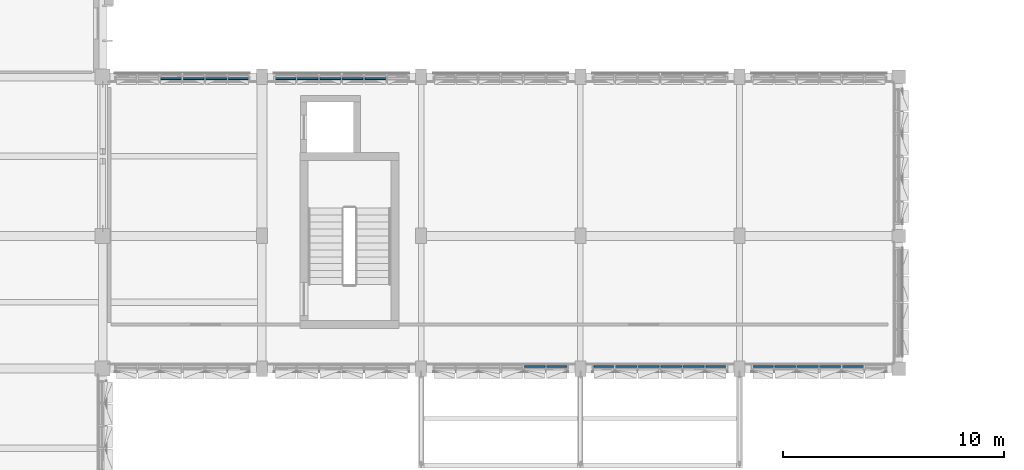
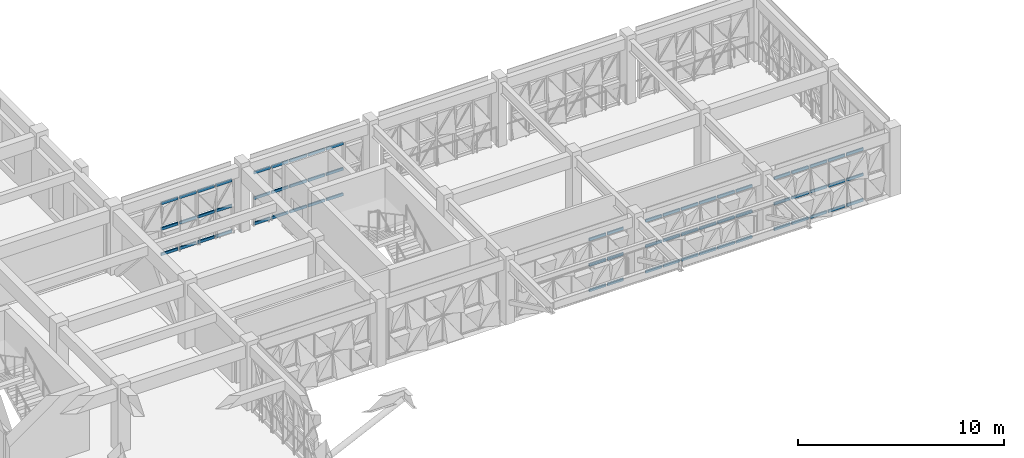
# One storey, part 25 of 88: 66 members, 5 elements without a shape of their own.
"""IFC4 building model written with IfcOpenShell, lengths in metres."""

from ifc_helpers import new_model, si_unit, direction, frame, origin, origin_2d, place, context, subcontext, project, spatial, rectangle, extrude, material, material_profile, profile_set, type_object, element, aggregate, save


model = new_model("IFC4")

# Units and contexts
model_context = context("Model", 3, precision=1e-05, world=origin(), true_north=direction((0.0, 1.0)))
body_context = subcontext(model_context, "Body", "Model", "MODEL_VIEW")
ifc_project = project(units=[si_unit("LENGTHUNIT", "METRE"), si_unit("AREAUNIT", "SQUARE_METRE"), si_unit("VOLUMEUNIT", "CUBIC_METRE"), si_unit("PLANEANGLEUNIT", "RADIAN"), si_unit("MASSUNIT", "GRAM", prefix="KILO")], contexts=[model_context])

# Site, building, storey
site_placement = place(None, origin())
site = spatial("IfcSite", under=ifc_project, at=site_placement, CompositionType="ELEMENT")
building_placement = place(site_placement, origin())
building = spatial("IfcBuilding", under=site, at=building_placement, Name="Alvorim Cloister Faculty of Sciences", CompositionType="ELEMENT")
storey_placement = place(building_placement, frame((0.0, 0.0, 4.5)))
storey = spatial("IfcBuildingStorey", under=building, at=storey_placement, Name="L01", CompositionType="ELEMENT", Elevation=4.5)

# Curtain wall, members
ifc_material_1 = material(Name="Aluminium and Low-E Glass Curtain Wall", Category="aluminium")
curtain_wall_type = type_object("IfcCurtainWallType", Name="CW-TRI-6120x3170", PredefinedType="USERDEFINED", material=ifc_material_1)
curtain_wall_1_placement = place(storey_placement, origin())
curtain_wall_1 = element("IfcCurtainWall", 1, at=curtain_wall_1_placement, inside=storey, type_object=curtain_wall_type, Name="L01 Diagonal Cassette Curtain Wall CW-0012", ObjectType="UNITISED CURTAIN WALL", PredefinedType="USERDEFINED")
ifc_material_2 = material(Name="Aluminium Alloy 6063-T6", Category="aluminium")
ifc_material_profile = material_profile(ifc_material_2, rectangle(XDim=0.074951171875, YDim=0.159912109375, at=origin_2d()), Name="ALU-TRN-75x160")
ifc_profile_set = profile_set([ifc_material_profile], Name="Aluminium Alloy 6063-T6")
member_type = type_object("IfcMemberType", Name="CW-TRN-75x160", PredefinedType="USERDEFINED", material=ifc_profile_set)
member_1_placement = place(storey_placement, frame((31.41748046875, 56.31005859375, 0.080078125), z_axis=(1.0, 0.0, 0.0), x_axis=(0.0, 1.0, 0.0)))
member_1 = element("IfcMember", 2, at=member_1_placement, type_object=member_type, Name="CW-0012 Transom 3.1", ObjectType="TRANSOM", PredefinedType="USERDEFINED", context=body_context, shape_type="SweptSolid", body=[
    extrude(rectangle(XDim=0.074951171875, YDim=0.159912109375, at=origin_2d()), origin(), (0.0, 0.0, 1.0), 0.945068359375),
])
member_2_placement = place(storey_placement, frame((31.41748046875, 56.31005859375, 1.5849609375), z_axis=(1.0, 0.0, 0.0), x_axis=(0.0, 1.0, 0.0)))
member_2 = element("IfcMember", 3, at=member_2_placement, type_object=member_type, Name="CW-0012 Transom 3.2", ObjectType="TRANSOM", PredefinedType="USERDEFINED", context=body_context, shape_type="SweptSolid", body=[
    extrude(rectangle(XDim=0.074951171875, YDim=0.159912109375, at=origin_2d()), origin(), (0.0, 0.0, 1.0), 0.945068359375),
])
member_3_placement = place(storey_placement, frame((31.41748046875, 56.31005859375, 3.090087890625), z_axis=(1.0, 0.0, 0.0), x_axis=(0.0, 1.0, 0.0)))
member_3 = element("IfcMember", 4, at=member_3_placement, type_object=member_type, Name="CW-0012 Transom 3.3", ObjectType="TRANSOM", PredefinedType="USERDEFINED", context=body_context, shape_type="SweptSolid", body=[
    extrude(rectangle(XDim=0.074951171875, YDim=0.159912109375, at=origin_2d()), origin(), (0.0, 0.0, 1.0), 0.945068359375),
])
member_4_placement = place(storey_placement, frame((32.4375, 56.31005859375, 0.080078125), z_axis=(1.0, 0.0, 0.0), x_axis=(0.0, 1.0, 0.0)))
member_4 = element("IfcMember", 5, at=member_4_placement, type_object=member_type, Name="CW-0012 Transom 4.1", ObjectType="TRANSOM", PredefinedType="USERDEFINED", context=body_context, shape_type="SweptSolid", body=[
    extrude(rectangle(XDim=0.074951171875, YDim=0.159912109375, at=origin_2d()), origin(), (0.0, 0.0, 1.0), 0.945068359375),
])
member_5_placement = place(storey_placement, frame((32.4375, 56.31005859375, 1.5849609375), z_axis=(1.0, 0.0, 0.0), x_axis=(0.0, 1.0, 0.0)))
member_5 = element("IfcMember", 6, at=member_5_placement, type_object=member_type, Name="CW-0012 Transom 4.2", ObjectType="TRANSOM", PredefinedType="USERDEFINED", context=body_context, shape_type="SweptSolid", body=[
    extrude(rectangle(XDim=0.074951171875, YDim=0.159912109375, at=origin_2d()), origin(), (0.0, 0.0, 1.0), 0.945068359375),
])
member_6_placement = place(storey_placement, frame((32.4375, 56.31005859375, 3.090087890625), z_axis=(1.0, 0.0, 0.0), x_axis=(0.0, 1.0, 0.0)))
member_6 = element("IfcMember", 7, at=member_6_placement, type_object=member_type, Name="CW-0012 Transom 4.3", ObjectType="TRANSOM", PredefinedType="USERDEFINED", context=body_context, shape_type="SweptSolid", body=[
    extrude(rectangle(XDim=0.074951171875, YDim=0.159912109375, at=origin_2d()), origin(), (0.0, 0.0, 1.0), 0.945068359375),
])
member_7_placement = place(storey_placement, frame((33.45751953125, 56.31005859375, 0.080078125), z_axis=(1.0, 0.0, 0.0), x_axis=(0.0, 1.0, 0.0)))
member_7 = element("IfcMember", 8, at=member_7_placement, type_object=member_type, Name="CW-0012 Transom 5.1", ObjectType="TRANSOM", PredefinedType="USERDEFINED", context=body_context, shape_type="SweptSolid", body=[
    extrude(rectangle(XDim=0.074951171875, YDim=0.159912109375, at=origin_2d()), origin(), (0.0, 0.0, 1.0), 0.945068359375),
])
member_8_placement = place(storey_placement, frame((33.45751953125, 56.31005859375, 1.5849609375), z_axis=(1.0, 0.0, 0.0), x_axis=(0.0, 1.0, 0.0)))
member_8 = element("IfcMember", 9, at=member_8_placement, type_object=member_type, Name="CW-0012 Transom 5.2", ObjectType="TRANSOM", PredefinedType="USERDEFINED", context=body_context, shape_type="SweptSolid", body=[
    extrude(rectangle(XDim=0.074951171875, YDim=0.159912109375, at=origin_2d()), origin(), (0.0, 0.0, 1.0), 0.945068359375),
])
member_9_placement = place(storey_placement, frame((33.45751953125, 56.31005859375, 3.090087890625), z_axis=(1.0, 0.0, 0.0), x_axis=(0.0, 1.0, 0.0)))
member_9 = element("IfcMember", 10, at=member_9_placement, type_object=member_type, Name="CW-0012 Transom 5.3", ObjectType="TRANSOM", PredefinedType="USERDEFINED", context=body_context, shape_type="SweptSolid", body=[
    extrude(rectangle(XDim=0.074951171875, YDim=0.159912109375, at=origin_2d()), origin(), (0.0, 0.0, 1.0), 0.945068359375),
])
member_10_placement = place(storey_placement, frame((34.4775390625, 56.31005859375, 0.080078125), z_axis=(1.0, 0.0, 0.0), x_axis=(0.0, 1.0, 0.0)))
member_10 = element("IfcMember", 11, at=member_10_placement, type_object=member_type, Name="CW-0012 Transom 6.1", ObjectType="TRANSOM", PredefinedType="USERDEFINED", context=body_context, shape_type="SweptSolid", body=[
    extrude(rectangle(XDim=0.074951171875, YDim=0.159912109375, at=origin_2d()), origin(), (0.0, 0.0, 1.0), 0.907470703125),
])
member_11_placement = place(storey_placement, frame((34.4775390625, 56.31005859375, 1.5849609375), z_axis=(1.0, 0.0, 0.0), x_axis=(0.0, 1.0, 0.0)))
member_11 = element("IfcMember", 12, at=member_11_placement, type_object=member_type, Name="CW-0012 Transom 6.2", ObjectType="TRANSOM", PredefinedType="USERDEFINED", context=body_context, shape_type="SweptSolid", body=[
    extrude(rectangle(XDim=0.074951171875, YDim=0.159912109375, at=origin_2d()), origin(), (0.0, 0.0, 1.0), 0.907470703125),
])
member_12_placement = place(storey_placement, frame((34.4775390625, 56.31005859375, 3.090087890625), z_axis=(1.0, 0.0, 0.0), x_axis=(0.0, 1.0, 0.0)))
member_12 = element("IfcMember", 13, at=member_12_placement, type_object=member_type, Name="CW-0012 Transom 6.3", ObjectType="TRANSOM", PredefinedType="USERDEFINED", context=body_context, shape_type="SweptSolid", body=[
    extrude(rectangle(XDim=0.074951171875, YDim=0.159912109375, at=origin_2d()), origin(), (0.0, 0.0, 1.0), 0.907470703125),
])
aggregate(curtain_wall_1, [member_1, member_2, member_3, member_4, member_5, member_6, member_7, member_8, member_9, member_10, member_11, member_12])

curtain_wall_2_placement = place(storey_placement, origin())
curtain_wall_2 = element("IfcCurtainWall", 14, at=curtain_wall_2_placement, inside=storey, type_object=curtain_wall_type, Name="L01 Diagonal Cassette Curtain Wall CW-0013", ObjectType="UNITISED CURTAIN WALL", PredefinedType="USERDEFINED")
member_13_placement = place(storey_placement, frame((36.614990234375, 56.31005859375, 0.080078125), z_axis=(1.0, 0.0, 0.0), x_axis=(0.0, 1.0, 0.0)))
member_13 = element("IfcMember", 15, at=member_13_placement, type_object=member_type, Name="CW-0013 Transom 1.1", ObjectType="TRANSOM", PredefinedType="USERDEFINED", context=body_context, shape_type="SweptSolid", body=[
    extrude(rectangle(XDim=0.074951171875, YDim=0.159912109375, at=origin_2d()), origin(), (0.0, 0.0, 1.0), 0.907470703125),
])
member_14_placement = place(storey_placement, frame((36.614990234375, 56.31005859375, 1.5849609375), z_axis=(1.0, 0.0, 0.0), x_axis=(0.0, 1.0, 0.0)))
member_14 = element("IfcMember", 16, at=member_14_placement, type_object=member_type, Name="CW-0013 Transom 1.2", ObjectType="TRANSOM", PredefinedType="USERDEFINED", context=body_context, shape_type="SweptSolid", body=[
    extrude(rectangle(XDim=0.074951171875, YDim=0.159912109375, at=origin_2d()), origin(), (0.0, 0.0, 1.0), 0.907470703125),
])
member_15_placement = place(storey_placement, frame((36.614990234375, 56.31005859375, 3.090087890625), z_axis=(1.0, 0.0, 0.0), x_axis=(0.0, 1.0, 0.0)))
member_15 = element("IfcMember", 17, at=member_15_placement, type_object=member_type, Name="CW-0013 Transom 1.3", ObjectType="TRANSOM", PredefinedType="USERDEFINED", context=body_context, shape_type="SweptSolid", body=[
    extrude(rectangle(XDim=0.074951171875, YDim=0.159912109375, at=origin_2d()), origin(), (0.0, 0.0, 1.0), 0.907470703125),
])
member_16_placement = place(storey_placement, frame((37.597412109375, 56.31005859375, 0.080078125), z_axis=(1.0, 0.0, 0.0), x_axis=(0.0, 1.0, 0.0)))
member_16 = element("IfcMember", 18, at=member_16_placement, type_object=member_type, Name="CW-0013 Transom 2.1", ObjectType="TRANSOM", PredefinedType="USERDEFINED", context=body_context, shape_type="SweptSolid", body=[
    extrude(rectangle(XDim=0.074951171875, YDim=0.159912109375, at=origin_2d()), origin(), (0.0, 0.0, 1.0), 0.945068359375),
])
member_17_placement = place(storey_placement, frame((37.597412109375, 56.31005859375, 1.5849609375), z_axis=(1.0, 0.0, 0.0), x_axis=(0.0, 1.0, 0.0)))
member_17 = element("IfcMember", 19, at=member_17_placement, type_object=member_type, Name="CW-0013 Transom 2.2", ObjectType="TRANSOM", PredefinedType="USERDEFINED", context=body_context, shape_type="SweptSolid", body=[
    extrude(rectangle(XDim=0.074951171875, YDim=0.159912109375, at=origin_2d()), origin(), (0.0, 0.0, 1.0), 0.945068359375),
])
member_18_placement = place(storey_placement, frame((37.597412109375, 56.31005859375, 3.090087890625), z_axis=(1.0, 0.0, 0.0), x_axis=(0.0, 1.0, 0.0)))
member_18 = element("IfcMember", 20, at=member_18_placement, type_object=member_type, Name="CW-0013 Transom 2.3", ObjectType="TRANSOM", PredefinedType="USERDEFINED", context=body_context, shape_type="SweptSolid", body=[
    extrude(rectangle(XDim=0.074951171875, YDim=0.159912109375, at=origin_2d()), origin(), (0.0, 0.0, 1.0), 0.945068359375),
])
member_19_placement = place(storey_placement, frame((38.617431640625, 56.31005859375, 0.080078125), z_axis=(1.0, 0.0, 0.0), x_axis=(0.0, 1.0, 0.0)))
member_19 = element("IfcMember", 21, at=member_19_placement, type_object=member_type, Name="CW-0013 Transom 3.1", ObjectType="TRANSOM", PredefinedType="USERDEFINED", context=body_context, shape_type="SweptSolid", body=[
    extrude(rectangle(XDim=0.074951171875, YDim=0.159912109375, at=origin_2d()), origin(), (0.0, 0.0, 1.0), 0.945068359375),
])
member_20_placement = place(storey_placement, frame((38.617431640625, 56.31005859375, 1.5849609375), z_axis=(1.0, 0.0, 0.0), x_axis=(0.0, 1.0, 0.0)))
member_20 = element("IfcMember", 22, at=member_20_placement, type_object=member_type, Name="CW-0013 Transom 3.2", ObjectType="TRANSOM", PredefinedType="USERDEFINED", context=body_context, shape_type="SweptSolid", body=[
    extrude(rectangle(XDim=0.074951171875, YDim=0.159912109375, at=origin_2d()), origin(), (0.0, 0.0, 1.0), 0.945068359375),
])
member_21_placement = place(storey_placement, frame((38.617431640625, 56.31005859375, 3.090087890625), z_axis=(1.0, 0.0, 0.0), x_axis=(0.0, 1.0, 0.0)))
member_21 = element("IfcMember", 23, at=member_21_placement, type_object=member_type, Name="CW-0013 Transom 3.3", ObjectType="TRANSOM", PredefinedType="USERDEFINED", context=body_context, shape_type="SweptSolid", body=[
    extrude(rectangle(XDim=0.074951171875, YDim=0.159912109375, at=origin_2d()), origin(), (0.0, 0.0, 1.0), 0.945068359375),
])
member_22_placement = place(storey_placement, frame((39.637451171875, 56.31005859375, 0.080078125), z_axis=(1.0, 0.0, 0.0), x_axis=(0.0, 1.0, 0.0)))
member_22 = element("IfcMember", 24, at=member_22_placement, type_object=member_type, Name="CW-0013 Transom 4.1", ObjectType="TRANSOM", PredefinedType="USERDEFINED", context=body_context, shape_type="SweptSolid", body=[
    extrude(rectangle(XDim=0.074951171875, YDim=0.159912109375, at=origin_2d()), origin(), (0.0, 0.0, 1.0), 0.945068359375),
])
member_23_placement = place(storey_placement, frame((39.637451171875, 56.31005859375, 1.5849609375), z_axis=(1.0, 0.0, 0.0), x_axis=(0.0, 1.0, 0.0)))
member_23 = element("IfcMember", 25, at=member_23_placement, type_object=member_type, Name="CW-0013 Transom 4.2", ObjectType="TRANSOM", PredefinedType="USERDEFINED", context=body_context, shape_type="SweptSolid", body=[
    extrude(rectangle(XDim=0.074951171875, YDim=0.159912109375, at=origin_2d()), origin(), (0.0, 0.0, 1.0), 0.945068359375),
])
member_24_placement = place(storey_placement, frame((39.637451171875, 56.31005859375, 3.090087890625), z_axis=(1.0, 0.0, 0.0), x_axis=(0.0, 1.0, 0.0)))
member_24 = element("IfcMember", 26, at=member_24_placement, type_object=member_type, Name="CW-0013 Transom 4.3", ObjectType="TRANSOM", PredefinedType="USERDEFINED", context=body_context, shape_type="SweptSolid", body=[
    extrude(rectangle(XDim=0.074951171875, YDim=0.159912109375, at=origin_2d()), origin(), (0.0, 0.0, 1.0), 0.945068359375),
])
member_25_placement = place(storey_placement, frame((40.657470703125, 56.31005859375, 0.080078125), z_axis=(1.0, 0.0, 0.0), x_axis=(0.0, 1.0, 0.0)))
member_25 = element("IfcMember", 27, at=member_25_placement, type_object=member_type, Name="CW-0013 Transom 5.1", ObjectType="TRANSOM", PredefinedType="USERDEFINED", context=body_context, shape_type="SweptSolid", body=[
    extrude(rectangle(XDim=0.074951171875, YDim=0.159912109375, at=origin_2d()), origin(), (0.0, 0.0, 1.0), 0.945068359375),
])
member_26_placement = place(storey_placement, frame((40.657470703125, 56.31005859375, 1.5849609375), z_axis=(1.0, 0.0, 0.0), x_axis=(0.0, 1.0, 0.0)))
member_26 = element("IfcMember", 28, at=member_26_placement, type_object=member_type, Name="CW-0013 Transom 5.2", ObjectType="TRANSOM", PredefinedType="USERDEFINED", context=body_context, shape_type="SweptSolid", body=[
    extrude(rectangle(XDim=0.074951171875, YDim=0.159912109375, at=origin_2d()), origin(), (0.0, 0.0, 1.0), 0.945068359375),
])
member_27_placement = place(storey_placement, frame((40.657470703125, 56.31005859375, 3.090087890625), z_axis=(1.0, 0.0, 0.0), x_axis=(0.0, 1.0, 0.0)))
member_27 = element("IfcMember", 29, at=member_27_placement, type_object=member_type, Name="CW-0013 Transom 5.3", ObjectType="TRANSOM", PredefinedType="USERDEFINED", context=body_context, shape_type="SweptSolid", body=[
    extrude(rectangle(XDim=0.074951171875, YDim=0.159912109375, at=origin_2d()), origin(), (0.0, 0.0, 1.0), 0.945068359375),
])
aggregate(curtain_wall_2, [member_13, member_14, member_15, member_16, member_17, member_18, member_19, member_20, member_21, member_22, member_23, member_24, member_25, member_26, member_27])

curtain_wall_3_placement = place(storey_placement, origin())
curtain_wall_3 = element("IfcCurtainWall", 30, at=curtain_wall_3_placement, inside=storey, type_object=curtain_wall_type, Name="L01 Diagonal Cassette Curtain Wall CW-0019", ObjectType="UNITISED CURTAIN WALL", PredefinedType="USERDEFINED")
member_28_placement = place(storey_placement, frame((58.215087890625, 43.2900390625, 0.080078125), z_axis=(1.0, 0.0, 0.0), x_axis=(0.0, 1.0, 0.0)))
member_28 = element("IfcMember", 31, at=member_28_placement, type_object=member_type, Name="CW-0019 Transom 1.1", ObjectType="TRANSOM", PredefinedType="USERDEFINED", context=body_context, shape_type="SweptSolid", body=[
    extrude(rectangle(XDim=0.074951171875, YDim=0.159912109375, at=origin_2d()), origin(), (0.0, 0.0, 1.0), 0.907470703125),
])
member_29_placement = place(storey_placement, frame((58.215087890625, 43.2900390625, 1.5849609375), z_axis=(1.0, 0.0, 0.0), x_axis=(0.0, 1.0, 0.0)))
member_29 = element("IfcMember", 32, at=member_29_placement, type_object=member_type, Name="CW-0019 Transom 1.2", ObjectType="TRANSOM", PredefinedType="USERDEFINED", context=body_context, shape_type="SweptSolid", body=[
    extrude(rectangle(XDim=0.074951171875, YDim=0.159912109375, at=origin_2d()), origin(), (0.0, 0.0, 1.0), 0.907470703125),
])
member_30_placement = place(storey_placement, frame((58.215087890625, 43.2900390625, 3.090087890625), z_axis=(1.0, 0.0, 0.0), x_axis=(0.0, 1.0, 0.0)))
member_30 = element("IfcMember", 33, at=member_30_placement, type_object=member_type, Name="CW-0019 Transom 1.3", ObjectType="TRANSOM", PredefinedType="USERDEFINED", context=body_context, shape_type="SweptSolid", body=[
    extrude(rectangle(XDim=0.074951171875, YDim=0.159912109375, at=origin_2d()), origin(), (0.0, 0.0, 1.0), 0.907470703125),
])
member_31_placement = place(storey_placement, frame((59.197509765625, 43.2900390625, 0.080078125), z_axis=(1.0, 0.0, 0.0), x_axis=(0.0, 1.0, 0.0)))
member_31 = element("IfcMember", 34, at=member_31_placement, type_object=member_type, Name="CW-0019 Transom 2.1", ObjectType="TRANSOM", PredefinedType="USERDEFINED", context=body_context, shape_type="SweptSolid", body=[
    extrude(rectangle(XDim=0.074951171875, YDim=0.159912109375, at=origin_2d()), origin(), (0.0, 0.0, 1.0), 0.945068359375),
])
member_32_placement = place(storey_placement, frame((59.197509765625, 43.2900390625, 1.5849609375), z_axis=(1.0, 0.0, 0.0), x_axis=(0.0, 1.0, 0.0)))
member_32 = element("IfcMember", 35, at=member_32_placement, type_object=member_type, Name="CW-0019 Transom 2.2", ObjectType="TRANSOM", PredefinedType="USERDEFINED", context=body_context, shape_type="SweptSolid", body=[
    extrude(rectangle(XDim=0.074951171875, YDim=0.159912109375, at=origin_2d()), origin(), (0.0, 0.0, 1.0), 0.945068359375),
])
member_33_placement = place(storey_placement, frame((59.197509765625, 43.2900390625, 3.090087890625), z_axis=(1.0, 0.0, 0.0), x_axis=(0.0, 1.0, 0.0)))
member_33 = element("IfcMember", 36, at=member_33_placement, type_object=member_type, Name="CW-0019 Transom 2.3", ObjectType="TRANSOM", PredefinedType="USERDEFINED", context=body_context, shape_type="SweptSolid", body=[
    extrude(rectangle(XDim=0.074951171875, YDim=0.159912109375, at=origin_2d()), origin(), (0.0, 0.0, 1.0), 0.945068359375),
])
member_34_placement = place(storey_placement, frame((60.217529296875, 43.2900390625, 0.080078125), z_axis=(1.0, 0.0, 0.0), x_axis=(0.0, 1.0, 0.0)))
member_34 = element("IfcMember", 37, at=member_34_placement, type_object=member_type, Name="CW-0019 Transom 3.1", ObjectType="TRANSOM", PredefinedType="USERDEFINED", context=body_context, shape_type="SweptSolid", body=[
    extrude(rectangle(XDim=0.074951171875, YDim=0.159912109375, at=origin_2d()), origin(), (0.0, 0.0, 1.0), 0.945068359375),
])
member_35_placement = place(storey_placement, frame((60.217529296875, 43.2900390625, 1.5849609375), z_axis=(1.0, 0.0, 0.0), x_axis=(0.0, 1.0, 0.0)))
member_35 = element("IfcMember", 38, at=member_35_placement, type_object=member_type, Name="CW-0019 Transom 3.2", ObjectType="TRANSOM", PredefinedType="USERDEFINED", context=body_context, shape_type="SweptSolid", body=[
    extrude(rectangle(XDim=0.074951171875, YDim=0.159912109375, at=origin_2d()), origin(), (0.0, 0.0, 1.0), 0.945068359375),
])
member_36_placement = place(storey_placement, frame((60.217529296875, 43.2900390625, 3.090087890625), z_axis=(1.0, 0.0, 0.0), x_axis=(0.0, 1.0, 0.0)))
member_36 = element("IfcMember", 39, at=member_36_placement, type_object=member_type, Name="CW-0019 Transom 3.3", ObjectType="TRANSOM", PredefinedType="USERDEFINED", context=body_context, shape_type="SweptSolid", body=[
    extrude(rectangle(XDim=0.074951171875, YDim=0.159912109375, at=origin_2d()), origin(), (0.0, 0.0, 1.0), 0.945068359375),
])
member_37_placement = place(storey_placement, frame((61.237548828125, 43.2900390625, 0.080078125), z_axis=(1.0, 0.0, 0.0), x_axis=(0.0, 1.0, 0.0)))
member_37 = element("IfcMember", 40, at=member_37_placement, type_object=member_type, Name="CW-0019 Transom 4.1", ObjectType="TRANSOM", PredefinedType="USERDEFINED", context=body_context, shape_type="SweptSolid", body=[
    extrude(rectangle(XDim=0.074951171875, YDim=0.159912109375, at=origin_2d()), origin(), (0.0, 0.0, 1.0), 0.945068359375),
])
member_38_placement = place(storey_placement, frame((61.237548828125, 43.2900390625, 1.5849609375), z_axis=(1.0, 0.0, 0.0), x_axis=(0.0, 1.0, 0.0)))
member_38 = element("IfcMember", 41, at=member_38_placement, type_object=member_type, Name="CW-0019 Transom 4.2", ObjectType="TRANSOM", PredefinedType="USERDEFINED", context=body_context, shape_type="SweptSolid", body=[
    extrude(rectangle(XDim=0.074951171875, YDim=0.159912109375, at=origin_2d()), origin(), (0.0, 0.0, 1.0), 0.945068359375),
])
member_39_placement = place(storey_placement, frame((61.237548828125, 43.2900390625, 3.090087890625), z_axis=(1.0, 0.0, 0.0), x_axis=(0.0, 1.0, 0.0)))
member_39 = element("IfcMember", 42, at=member_39_placement, type_object=member_type, Name="CW-0019 Transom 4.3", ObjectType="TRANSOM", PredefinedType="USERDEFINED", context=body_context, shape_type="SweptSolid", body=[
    extrude(rectangle(XDim=0.074951171875, YDim=0.159912109375, at=origin_2d()), origin(), (0.0, 0.0, 1.0), 0.945068359375),
])
member_40_placement = place(storey_placement, frame((62.257568359375, 43.2900390625, 0.080078125), z_axis=(1.0, 0.0, 0.0), x_axis=(0.0, 1.0, 0.0)))
member_40 = element("IfcMember", 43, at=member_40_placement, type_object=member_type, Name="CW-0019 Transom 5.1", ObjectType="TRANSOM", PredefinedType="USERDEFINED", context=body_context, shape_type="SweptSolid", body=[
    extrude(rectangle(XDim=0.074951171875, YDim=0.159912109375, at=origin_2d()), origin(), (0.0, 0.0, 1.0), 0.94482421875),
])
member_41_placement = place(storey_placement, frame((62.257568359375, 43.2900390625, 1.5849609375), z_axis=(1.0, 0.0, 0.0), x_axis=(0.0, 1.0, 0.0)))
member_41 = element("IfcMember", 44, at=member_41_placement, type_object=member_type, Name="CW-0019 Transom 5.2", ObjectType="TRANSOM", PredefinedType="USERDEFINED", context=body_context, shape_type="SweptSolid", body=[
    extrude(rectangle(XDim=0.074951171875, YDim=0.159912109375, at=origin_2d()), origin(), (0.0, 0.0, 1.0), 0.94482421875),
])
member_42_placement = place(storey_placement, frame((62.257568359375, 43.2900390625, 3.090087890625), z_axis=(1.0, 0.0, 0.0), x_axis=(0.0, 1.0, 0.0)))
member_42 = element("IfcMember", 45, at=member_42_placement, type_object=member_type, Name="CW-0019 Transom 5.3", ObjectType="TRANSOM", PredefinedType="USERDEFINED", context=body_context, shape_type="SweptSolid", body=[
    extrude(rectangle(XDim=0.074951171875, YDim=0.159912109375, at=origin_2d()), origin(), (0.0, 0.0, 1.0), 0.94482421875),
])
aggregate(curtain_wall_3, [member_28, member_29, member_30, member_31, member_32, member_33, member_34, member_35, member_36, member_37, member_38, member_39, member_40, member_41, member_42])

curtain_wall_4_placement = place(storey_placement, origin())
curtain_wall_4 = element("IfcCurtainWall", 46, at=curtain_wall_4_placement, inside=storey, type_object=curtain_wall_type, Name="L01 Diagonal Cassette Curtain Wall CW-0020", ObjectType="UNITISED CURTAIN WALL", PredefinedType="USERDEFINED")
member_43_placement = place(storey_placement, frame((51.014892578125, 43.2900390625, 0.080078125), z_axis=(1.0, 0.0, 0.0), x_axis=(0.0, 1.0, 0.0)))
member_43 = element("IfcMember", 47, at=member_43_placement, type_object=member_type, Name="CW-0020 Transom 1.1", ObjectType="TRANSOM", PredefinedType="USERDEFINED", context=body_context, shape_type="SweptSolid", body=[
    extrude(rectangle(XDim=0.074951171875, YDim=0.159912109375, at=origin_2d()), origin(), (0.0, 0.0, 1.0), 0.90771484375),
])
member_44_placement = place(storey_placement, frame((51.014892578125, 43.2900390625, 1.5849609375), z_axis=(1.0, 0.0, 0.0), x_axis=(0.0, 1.0, 0.0)))
member_44 = element("IfcMember", 48, at=member_44_placement, type_object=member_type, Name="CW-0020 Transom 1.2", ObjectType="TRANSOM", PredefinedType="USERDEFINED", context=body_context, shape_type="SweptSolid", body=[
    extrude(rectangle(XDim=0.074951171875, YDim=0.159912109375, at=origin_2d()), origin(), (0.0, 0.0, 1.0), 0.90771484375),
])
member_45_placement = place(storey_placement, frame((51.014892578125, 43.2900390625, 3.090087890625), z_axis=(1.0, 0.0, 0.0), x_axis=(0.0, 1.0, 0.0)))
member_45 = element("IfcMember", 49, at=member_45_placement, type_object=member_type, Name="CW-0020 Transom 1.3", ObjectType="TRANSOM", PredefinedType="USERDEFINED", context=body_context, shape_type="SweptSolid", body=[
    extrude(rectangle(XDim=0.074951171875, YDim=0.159912109375, at=origin_2d()), origin(), (0.0, 0.0, 1.0), 0.90771484375),
])
member_46_placement = place(storey_placement, frame((51.99755859375, 43.2900390625, 0.080078125), z_axis=(1.0, 0.0, 0.0), x_axis=(0.0, 1.0, 0.0)))
member_46 = element("IfcMember", 50, at=member_46_placement, type_object=member_type, Name="CW-0020 Transom 2.1", ObjectType="TRANSOM", PredefinedType="USERDEFINED", context=body_context, shape_type="SweptSolid", body=[
    extrude(rectangle(XDim=0.074951171875, YDim=0.159912109375, at=origin_2d()), origin(), (0.0, 0.0, 1.0), 0.94482421875),
])
member_47_placement = place(storey_placement, frame((51.99755859375, 43.2900390625, 1.5849609375), z_axis=(1.0, 0.0, 0.0), x_axis=(0.0, 1.0, 0.0)))
member_47 = element("IfcMember", 51, at=member_47_placement, type_object=member_type, Name="CW-0020 Transom 2.2", ObjectType="TRANSOM", PredefinedType="USERDEFINED", context=body_context, shape_type="SweptSolid", body=[
    extrude(rectangle(XDim=0.074951171875, YDim=0.159912109375, at=origin_2d()), origin(), (0.0, 0.0, 1.0), 0.94482421875),
])
member_48_placement = place(storey_placement, frame((51.99755859375, 43.2900390625, 3.090087890625), z_axis=(1.0, 0.0, 0.0), x_axis=(0.0, 1.0, 0.0)))
member_48 = element("IfcMember", 52, at=member_48_placement, type_object=member_type, Name="CW-0020 Transom 2.3", ObjectType="TRANSOM", PredefinedType="USERDEFINED", context=body_context, shape_type="SweptSolid", body=[
    extrude(rectangle(XDim=0.074951171875, YDim=0.159912109375, at=origin_2d()), origin(), (0.0, 0.0, 1.0), 0.94482421875),
])
member_49_placement = place(storey_placement, frame((53.017578125, 43.2900390625, 0.080078125), z_axis=(1.0, 0.0, 0.0), x_axis=(0.0, 1.0, 0.0)))
member_49 = element("IfcMember", 53, at=member_49_placement, type_object=member_type, Name="CW-0020 Transom 3.1", ObjectType="TRANSOM", PredefinedType="USERDEFINED", context=body_context, shape_type="SweptSolid", body=[
    extrude(rectangle(XDim=0.074951171875, YDim=0.159912109375, at=origin_2d()), origin(), (0.0, 0.0, 1.0), 0.94482421875),
])
member_50_placement = place(storey_placement, frame((53.017578125, 43.2900390625, 1.5849609375), z_axis=(1.0, 0.0, 0.0), x_axis=(0.0, 1.0, 0.0)))
member_50 = element("IfcMember", 54, at=member_50_placement, type_object=member_type, Name="CW-0020 Transom 3.2", ObjectType="TRANSOM", PredefinedType="USERDEFINED", context=body_context, shape_type="SweptSolid", body=[
    extrude(rectangle(XDim=0.074951171875, YDim=0.159912109375, at=origin_2d()), origin(), (0.0, 0.0, 1.0), 0.94482421875),
])
member_51_placement = place(storey_placement, frame((53.017578125, 43.2900390625, 3.090087890625), z_axis=(1.0, 0.0, 0.0), x_axis=(0.0, 1.0, 0.0)))
member_51 = element("IfcMember", 55, at=member_51_placement, type_object=member_type, Name="CW-0020 Transom 3.3", ObjectType="TRANSOM", PredefinedType="USERDEFINED", context=body_context, shape_type="SweptSolid", body=[
    extrude(rectangle(XDim=0.074951171875, YDim=0.159912109375, at=origin_2d()), origin(), (0.0, 0.0, 1.0), 0.94482421875),
])
member_52_placement = place(storey_placement, frame((54.03759765625, 43.2900390625, 0.080078125), z_axis=(1.0, 0.0, 0.0), x_axis=(0.0, 1.0, 0.0)))
member_52 = element("IfcMember", 56, at=member_52_placement, type_object=member_type, Name="CW-0020 Transom 4.1", ObjectType="TRANSOM", PredefinedType="USERDEFINED", context=body_context, shape_type="SweptSolid", body=[
    extrude(rectangle(XDim=0.074951171875, YDim=0.159912109375, at=origin_2d()), origin(), (0.0, 0.0, 1.0), 0.94482421875),
])
member_53_placement = place(storey_placement, frame((54.03759765625, 43.2900390625, 1.5849609375), z_axis=(1.0, 0.0, 0.0), x_axis=(0.0, 1.0, 0.0)))
member_53 = element("IfcMember", 57, at=member_53_placement, type_object=member_type, Name="CW-0020 Transom 4.2", ObjectType="TRANSOM", PredefinedType="USERDEFINED", context=body_context, shape_type="SweptSolid", body=[
    extrude(rectangle(XDim=0.074951171875, YDim=0.159912109375, at=origin_2d()), origin(), (0.0, 0.0, 1.0), 0.94482421875),
])
member_54_placement = place(storey_placement, frame((54.03759765625, 43.2900390625, 3.090087890625), z_axis=(1.0, 0.0, 0.0), x_axis=(0.0, 1.0, 0.0)))
member_54 = element("IfcMember", 58, at=member_54_placement, type_object=member_type, Name="CW-0020 Transom 4.3", ObjectType="TRANSOM", PredefinedType="USERDEFINED", context=body_context, shape_type="SweptSolid", body=[
    extrude(rectangle(XDim=0.074951171875, YDim=0.159912109375, at=origin_2d()), origin(), (0.0, 0.0, 1.0), 0.94482421875),
])
member_55_placement = place(storey_placement, frame((55.0576171875, 43.2900390625, 0.080078125), z_axis=(1.0, 0.0, 0.0), x_axis=(0.0, 1.0, 0.0)))
member_55 = element("IfcMember", 59, at=member_55_placement, type_object=member_type, Name="CW-0020 Transom 5.1", ObjectType="TRANSOM", PredefinedType="USERDEFINED", context=body_context, shape_type="SweptSolid", body=[
    extrude(rectangle(XDim=0.074951171875, YDim=0.159912109375, at=origin_2d()), origin(), (0.0, 0.0, 1.0), 0.94482421875),
])
member_56_placement = place(storey_placement, frame((55.0576171875, 43.2900390625, 1.5849609375), z_axis=(1.0, 0.0, 0.0), x_axis=(0.0, 1.0, 0.0)))
member_56 = element("IfcMember", 60, at=member_56_placement, type_object=member_type, Name="CW-0020 Transom 5.2", ObjectType="TRANSOM", PredefinedType="USERDEFINED", context=body_context, shape_type="SweptSolid", body=[
    extrude(rectangle(XDim=0.074951171875, YDim=0.159912109375, at=origin_2d()), origin(), (0.0, 0.0, 1.0), 0.94482421875),
])
member_57_placement = place(storey_placement, frame((55.0576171875, 43.2900390625, 3.090087890625), z_axis=(1.0, 0.0, 0.0), x_axis=(0.0, 1.0, 0.0)))
member_57 = element("IfcMember", 61, at=member_57_placement, type_object=member_type, Name="CW-0020 Transom 5.3", ObjectType="TRANSOM", PredefinedType="USERDEFINED", context=body_context, shape_type="SweptSolid", body=[
    extrude(rectangle(XDim=0.074951171875, YDim=0.159912109375, at=origin_2d()), origin(), (0.0, 0.0, 1.0), 0.94482421875),
])
member_58_placement = place(storey_placement, frame((56.077392578125, 43.2900390625, 0.080078125), z_axis=(1.0, 0.0, 0.0), x_axis=(0.0, 1.0, 0.0)))
member_58 = element("IfcMember", 62, at=member_58_placement, type_object=member_type, Name="CW-0020 Transom 6.1", ObjectType="TRANSOM", PredefinedType="USERDEFINED", context=body_context, shape_type="SweptSolid", body=[
    extrude(rectangle(XDim=0.074951171875, YDim=0.159912109375, at=origin_2d()), origin(), (0.0, 0.0, 1.0), 0.90771484375),
])
member_59_placement = place(storey_placement, frame((56.077392578125, 43.2900390625, 1.5849609375), z_axis=(1.0, 0.0, 0.0), x_axis=(0.0, 1.0, 0.0)))
member_59 = element("IfcMember", 63, at=member_59_placement, type_object=member_type, Name="CW-0020 Transom 6.2", ObjectType="TRANSOM", PredefinedType="USERDEFINED", context=body_context, shape_type="SweptSolid", body=[
    extrude(rectangle(XDim=0.074951171875, YDim=0.159912109375, at=origin_2d()), origin(), (0.0, 0.0, 1.0), 0.90771484375),
])
member_60_placement = place(storey_placement, frame((56.077392578125, 43.2900390625, 3.090087890625), z_axis=(1.0, 0.0, 0.0), x_axis=(0.0, 1.0, 0.0)))
member_60 = element("IfcMember", 64, at=member_60_placement, type_object=member_type, Name="CW-0020 Transom 6.3", ObjectType="TRANSOM", PredefinedType="USERDEFINED", context=body_context, shape_type="SweptSolid", body=[
    extrude(rectangle(XDim=0.074951171875, YDim=0.159912109375, at=origin_2d()), origin(), (0.0, 0.0, 1.0), 0.90771484375),
])
aggregate(curtain_wall_4, [member_43, member_44, member_45, member_46, member_47, member_48, member_49, member_50, member_51, member_52, member_53, member_54, member_55, member_56, member_57, member_58, member_59, member_60])

curtain_wall_5_placement = place(storey_placement, origin())
curtain_wall_5 = element("IfcCurtainWall", 65, at=curtain_wall_5_placement, inside=storey, type_object=curtain_wall_type, Name="L01 Diagonal Cassette Curtain Wall CW-0021", ObjectType="UNITISED CURTAIN WALL", PredefinedType="USERDEFINED")
member_61_placement = place(storey_placement, frame((47.857421875, 43.2900390625, 0.080078125), z_axis=(1.0, 0.0, 0.0), x_axis=(0.0, 1.0, 0.0)))
member_61 = element("IfcMember", 66, at=member_61_placement, type_object=member_type, Name="CW-0021 Transom 5.1", ObjectType="TRANSOM", PredefinedType="USERDEFINED", context=body_context, shape_type="SweptSolid", body=[
    extrude(rectangle(XDim=0.074951171875, YDim=0.159912109375, at=origin_2d()), origin(), (0.0, 0.0, 1.0), 0.945068359375),
])
member_62_placement = place(storey_placement, frame((47.857421875, 43.2900390625, 1.5849609375), z_axis=(1.0, 0.0, 0.0), x_axis=(0.0, 1.0, 0.0)))
member_62 = element("IfcMember", 67, at=member_62_placement, type_object=member_type, Name="CW-0021 Transom 5.2", ObjectType="TRANSOM", PredefinedType="USERDEFINED", context=body_context, shape_type="SweptSolid", body=[
    extrude(rectangle(XDim=0.074951171875, YDim=0.159912109375, at=origin_2d()), origin(), (0.0, 0.0, 1.0), 0.945068359375),
])
member_63_placement = place(storey_placement, frame((47.857421875, 43.2900390625, 3.090087890625), z_axis=(1.0, 0.0, 0.0), x_axis=(0.0, 1.0, 0.0)))
member_63 = element("IfcMember", 68, at=member_63_placement, type_object=member_type, Name="CW-0021 Transom 5.3", ObjectType="TRANSOM", PredefinedType="USERDEFINED", context=body_context, shape_type="SweptSolid", body=[
    extrude(rectangle(XDim=0.074951171875, YDim=0.159912109375, at=origin_2d()), origin(), (0.0, 0.0, 1.0), 0.945068359375),
])
member_64_placement = place(storey_placement, frame((48.87744140625, 43.2900390625, 0.080078125), z_axis=(1.0, 0.0, 0.0), x_axis=(0.0, 1.0, 0.0)))
member_64 = element("IfcMember", 69, at=member_64_placement, type_object=member_type, Name="CW-0021 Transom 6.1", ObjectType="TRANSOM", PredefinedType="USERDEFINED", context=body_context, shape_type="SweptSolid", body=[
    extrude(rectangle(XDim=0.074951171875, YDim=0.159912109375, at=origin_2d()), origin(), (0.0, 0.0, 1.0), 0.907470703125),
])
member_65_placement = place(storey_placement, frame((48.87744140625, 43.2900390625, 1.5849609375), z_axis=(1.0, 0.0, 0.0), x_axis=(0.0, 1.0, 0.0)))
member_65 = element("IfcMember", 70, at=member_65_placement, type_object=member_type, Name="CW-0021 Transom 6.2", ObjectType="TRANSOM", PredefinedType="USERDEFINED", context=body_context, shape_type="SweptSolid", body=[
    extrude(rectangle(XDim=0.074951171875, YDim=0.159912109375, at=origin_2d()), origin(), (0.0, 0.0, 1.0), 0.907470703125),
])
member_66_placement = place(storey_placement, frame((48.87744140625, 43.2900390625, 3.090087890625), z_axis=(1.0, 0.0, 0.0), x_axis=(0.0, 1.0, 0.0)))
member_66 = element("IfcMember", 71, at=member_66_placement, type_object=member_type, Name="CW-0021 Transom 6.3", ObjectType="TRANSOM", PredefinedType="USERDEFINED", context=body_context, shape_type="SweptSolid", body=[
    extrude(rectangle(XDim=0.074951171875, YDim=0.159912109375, at=origin_2d()), origin(), (0.0, 0.0, 1.0), 0.907470703125),
])
aggregate(curtain_wall_5, [member_61, member_62, member_63, member_64, member_65, member_66])

save(model, "model.ifc")
